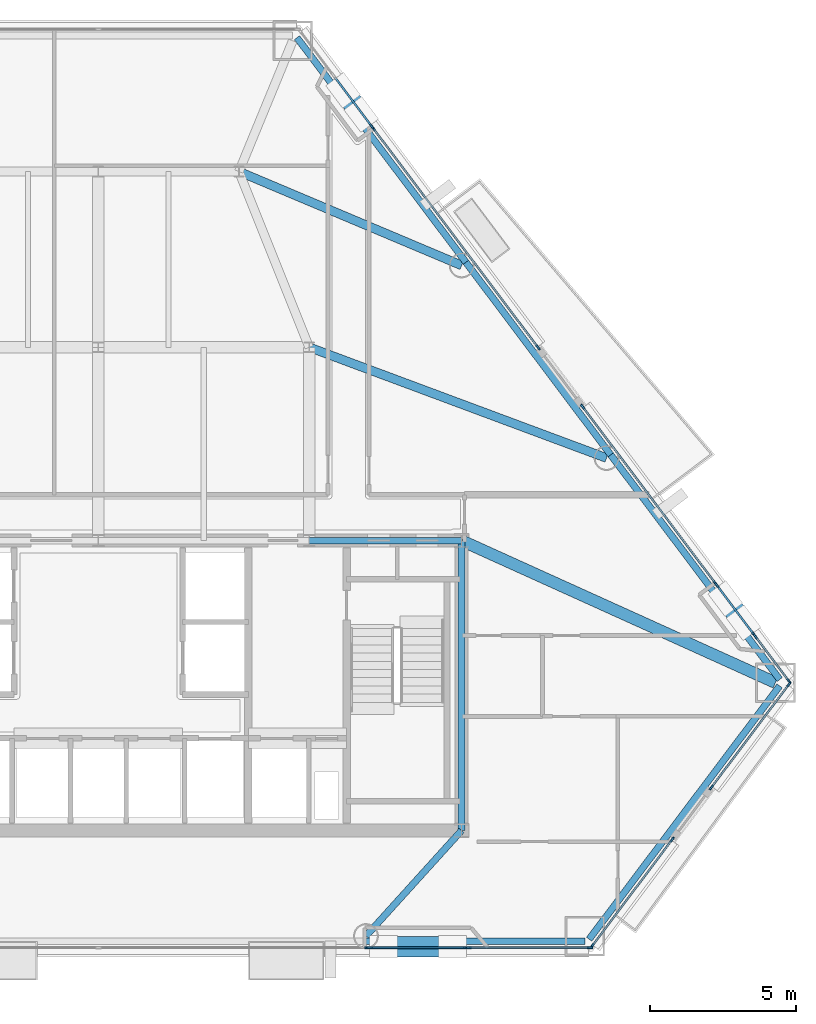
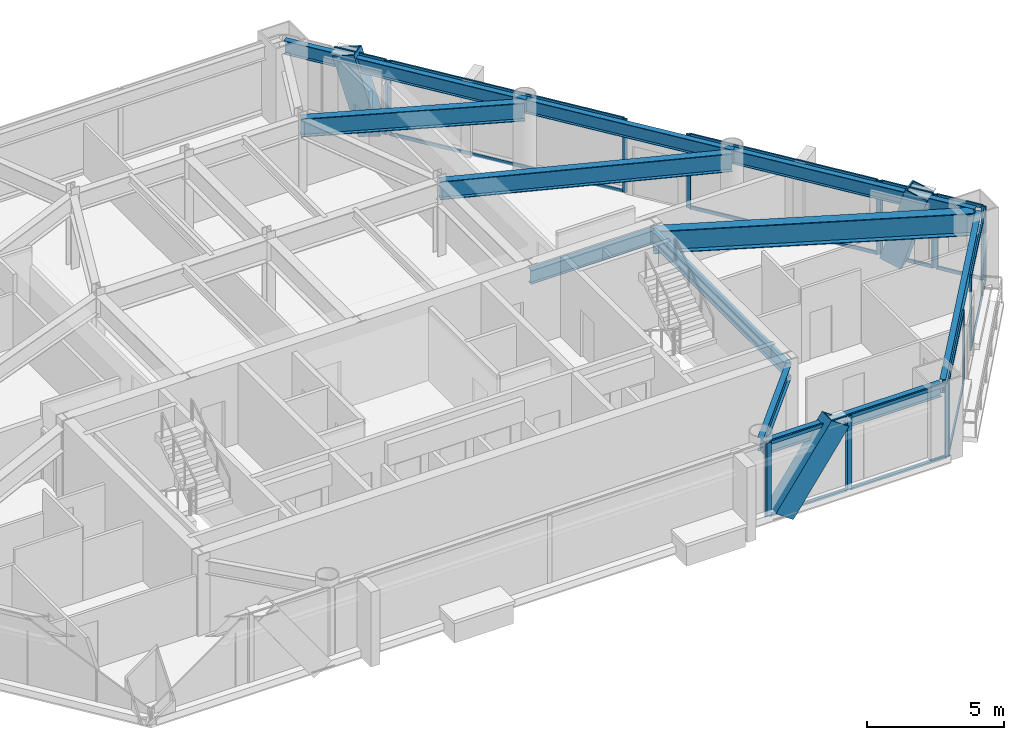
# One storey, part 4 of 10: 39 members, 11 beams, 10 elements without a shape of their own.
"""IFC4 building model written with IfcOpenShell, lengths in metres."""

from ifc_helpers import new_model, si_unit, direction, frame, origin, origin_2d, place, context, subcontext, project, spatial, rectangle, hollow_rectangle, i_section, extrude, material, layer, layer_set, material_profile, profile_set, type_object, element, aggregate, save


model = new_model("IFC4")

# Units and contexts
model_context = context("Model", 3, precision=1e-05, world=origin(), true_north=direction((0.0, 1.0)))
body_context = subcontext(model_context, "Body", "Model", "MODEL_VIEW")
ifc_project = project(units=[si_unit("LENGTHUNIT", "METRE"), si_unit("AREAUNIT", "SQUARE_METRE"), si_unit("VOLUMEUNIT", "CUBIC_METRE"), si_unit("PLANEANGLEUNIT", "RADIAN"), si_unit("MASSUNIT", "GRAM", prefix="KILO")], contexts=[model_context])

# Site, building, storey
site_placement = place(None, origin())
site = spatial("IfcSite", under=ifc_project, at=site_placement, CompositionType="ELEMENT")
building_placement = place(site_placement, origin())
building = spatial("IfcBuilding", under=site, at=building_placement, Name="Talgorran Terracotta Tower", CompositionType="ELEMENT")
storey_placement = place(building_placement, frame((0.0, 0.0, 86.39990234375)))
storey = spatial("IfcBuildingStorey", under=building, at=storey_placement, Name="L22", CompositionType="ELEMENT", Elevation=86.39990234375)

# Beams
ifc_material_1 = material(Name="Steel Grade 350 (350L0)", Category="steel")
ifc_material_profile_1 = material_profile(ifc_material_1, i_section(OverallWidth=0.39990234375, OverallDepth=1.0, WebThickness=0.01611328125, FlangeThickness=0.031005859375, at=origin_2d()), Name="1000WB296")
ifc_profile_set_1 = profile_set([ifc_material_profile_1], Name="Steel Grade 350 (350L0)")
beam_type_1 = type_object("IfcBeamType", Name="BM_1000WB296", PredefinedType="BEAM", material=ifc_profile_set_1)
beam_1_placement = place(storey_placement, frame((12.39990234375, -4.199951171875, 2.780029296875), z_axis=(0.911027575062, -0.412345434651, 0.0), x_axis=(0.412345434651, 0.911027575062, 0.0)))
element("IfcBeam", 1, at=beam_1_placement, inside=storey, type_object=beam_type_1, Name="L22 Floor Girder G18", PredefinedType="BEAM", context=body_context, shape_type="SweptSolid", body=[
    extrude(i_section(OverallWidth=0.39990234375, OverallDepth=1.0, WebThickness=0.01611328125, FlangeThickness=0.031005859375, at=origin_2d()), origin(), (0.0, 0.0, 1.0), 11.766357421875),
])
ifc_material_2 = material(Name="Steel S355 (300PLUS)", Category="steel")
ifc_material_profile_2 = material_profile(ifc_material_2, i_section(OverallWidth=0.300048828125, OverallDepth=0.81591796875, WebThickness=0.013916015625, FlangeThickness=0.028076171875, at=origin_2d()), Name="800WB192")
ifc_profile_set_2 = profile_set([ifc_material_profile_2], Name="Steel S355 (300PLUS)")
beam_type_2 = type_object("IfcBeamType", Name="BM_800WB192", PredefinedType="BEAM", material=ifc_profile_set_2)
beam_2_placement = place(storey_placement, frame((7.199951171875, 2.39990234375, 2.8720703125), z_axis=(0.93710770278, -0.34904033204, 0.0), x_axis=(0.34904033204, 0.93710770278, 0.0)))
element("IfcBeam", 2, at=beam_2_placement, inside=storey, type_object=beam_type_2, Name="L22 Floor Girder G07", PredefinedType="BEAM", context=body_context, shape_type="SweptSolid", body=[
    extrude(i_section(OverallWidth=0.300048828125, OverallDepth=0.81591796875, WebThickness=0.013916015625, FlangeThickness=0.028076171875, at=origin_2d()), origin(), (0.0, 0.0, 1.0), 10.831787109375),
])
beam_3_placement = place(storey_placement, frame((4.800048828125, 8.39990234375, 2.8720703125), z_axis=(0.921492221575, -0.388396814582, 0.0), x_axis=(0.388396814582, 0.921492221575, 0.0)))
element("IfcBeam", 3, at=beam_3_placement, inside=storey, type_object=beam_type_2, Name="L22 Floor Girder G14", PredefinedType="BEAM", context=body_context, shape_type="SweptSolid", body=[
    extrude(i_section(OverallWidth=0.300048828125, OverallDepth=0.81591796875, WebThickness=0.013916015625, FlangeThickness=0.028076171875, at=origin_2d()), origin(), (0.0, 0.0, 1.0), 8.25390625),
])
ifc_material_profile_3 = material_profile(ifc_material_2, i_section(OverallWidth=0.22900390625, OverallDepth=0.611572265625, WebThickness=0.011962890625, FlangeThickness=0.01953125, at=origin_2d()), Name="610UB125")
ifc_profile_set_3 = profile_set([ifc_material_profile_3], Name="Steel S355 (300PLUS)")
beam_type_3 = type_object("IfcBeamType", Name="BM_SP_610UB125", PredefinedType="SPANDREL", material=ifc_profile_set_3)
beam_4_placement = place(storey_placement, frame((9.1376953125, -17.882080078125, 2.974365234375), z_axis=(1.0, 0.0, 0.0), x_axis=(0.0, 1.0, 0.0)))
element("IfcBeam", 4, at=beam_4_placement, inside=storey, type_object=beam_type_3, Name="L22 Perimeter Spandrel Beam FC2-MC3", PredefinedType="SPANDREL", context=body_context, shape_type="SweptSolid", body=[
    extrude(i_section(OverallWidth=0.22900390625, OverallDepth=0.611572265625, WebThickness=0.011962890625, FlangeThickness=0.01953125, at=origin_2d()), origin(), (0.0, 0.0, 1.0), 7.47607421875),
])
beam_5_placement = place(storey_placement, frame((16.7578125, -17.810302734375, 2.974365234375), z_axis=(0.601053302012, 0.799208938976, 0.0), x_axis=(-0.799208938976, 0.601053302012, 0.0)))
element("IfcBeam", 5, at=beam_5_placement, inside=storey, type_object=beam_type_3, Name="L22 Perimeter Spandrel Beam MC3-MC4", PredefinedType="SPANDREL", context=body_context, shape_type="SweptSolid", body=[
    extrude(i_section(OverallWidth=0.22900390625, OverallDepth=0.611572265625, WebThickness=0.011962890625, FlangeThickness=0.01953125, at=origin_2d()), origin(), (0.0, 0.0, 1.0), 10.82373046875),
])
beam_6_placement = place(storey_placement, frame((23.263427734375, -8.943603515625, 2.974365234375), z_axis=(-0.601057621452, 0.799205690479, 0.0), x_axis=(-0.799205690479, -0.601057621452, 0.0)))
element("IfcBeam", 6, at=beam_6_placement, inside=storey, type_object=beam_type_3, Name="L22 Perimeter Spandrel Beam MC4-FC3", PredefinedType="SPANDREL", context=body_context, shape_type="SweptSolid", body=[
    extrude(i_section(OverallWidth=0.22900390625, OverallDepth=0.611572265625, WebThickness=0.011962890625, FlangeThickness=0.01953125, at=origin_2d()), origin(), (0.0, 0.0, 1.0), 9.59814453125),
])
beam_7_placement = place(storey_placement, frame((17.494384765625, -1.272705078125, 2.974365234375), z_axis=(-0.601025104516, 0.799230144415, 0.0), x_axis=(-0.799230144415, -0.601025104516, 0.0)))
element("IfcBeam", 7, at=beam_7_placement, inside=storey, type_object=beam_type_3, Name="L22 Perimeter Spandrel Beam FC3-FC4", PredefinedType="SPANDREL", context=body_context, shape_type="SweptSolid", body=[
    extrude(i_section(OverallWidth=0.22900390625, OverallDepth=0.611572265625, WebThickness=0.011962890625, FlangeThickness=0.01953125, at=origin_2d()), origin(), (0.0, 0.0, 1.0), 8.226806640625),
])
beam_8_placement = place(storey_placement, frame((12.5498046875, 5.302490234375, 2.974365234375), z_axis=(-0.601041374216, 0.799217909259, 0.0), x_axis=(-0.799217909259, -0.601041374216, 0.0)))
element("IfcBeam", 8, at=beam_8_placement, inside=storey, type_object=beam_type_3, Name="L22 Perimeter Spandrel Beam FC4-MC5", PredefinedType="SPANDREL", context=body_context, shape_type="SweptSolid", body=[
    extrude(i_section(OverallWidth=0.22900390625, OverallDepth=0.611572265625, WebThickness=0.011962890625, FlangeThickness=0.01953125, at=origin_2d()), origin(), (0.0, 0.0, 1.0), 9.597900390625),
])
beam_9_placement = place(storey_placement, frame((12.39990234375, -14.10009765625, 2.974365234375), z_axis=(-0.671276308116, -0.741207203259, 0.0), x_axis=(0.741207203259, -0.671276308116, 0.0)))
element("IfcBeam", 9, at=beam_9_placement, inside=storey, type_object=beam_type_3, Name="L22 South-East Core Tie Beam", PredefinedType="SPANDREL", context=body_context, shape_type="SweptSolid", body=[
    extrude(i_section(OverallWidth=0.22900390625, OverallDepth=0.611572265625, WebThickness=0.011962890625, FlangeThickness=0.01953125, at=origin_2d()), origin(), (0.0, 0.0, 1.0), 4.859619140625),
])
beam_10_placement = place(storey_placement, frame((12.39990234375, -14.10009765625, 2.974365234375), z_axis=(0.0, 1.0, 0.0), x_axis=(-1.0, 0.0, 0.0)))
element("IfcBeam", 10, at=beam_10_placement, inside=storey, type_object=beam_type_3, Name="L22 Core Frame Beam CFE", PredefinedType="SPANDREL", context=body_context, shape_type="SweptSolid", body=[
    extrude(i_section(OverallWidth=0.22900390625, OverallDepth=0.611572265625, WebThickness=0.011962890625, FlangeThickness=0.01953125, at=origin_2d()), origin(), (0.0, 0.0, 1.0), 9.900146484375),
])
beam_11_placement = place(storey_placement, frame((7.199951171875, -4.199951171875, 2.974365234375), z_axis=(1.0, 0.0, 0.0), x_axis=(0.0, 1.0, 0.0)))
element("IfcBeam", 11, at=beam_11_placement, inside=storey, type_object=beam_type_3, Name="L22 Core Frame Beam CFN4", PredefinedType="SPANDREL", context=body_context, shape_type="SweptSolid", body=[
    extrude(i_section(OverallWidth=0.22900390625, OverallDepth=0.611572265625, WebThickness=0.011962890625, FlangeThickness=0.01953125, at=origin_2d()), origin(), (0.0, 0.0, 1.0), 5.199951171875),
])

# Members
ifc_material_profile_4 = material_profile(ifc_material_1, hollow_rectangle(XDim=0.699951171875, YDim=0.89990234375, WallThickness=0.050048828125, at=origin_2d()), Name="WBOX900X700X50")
ifc_profile_set_4 = profile_set([ifc_material_profile_4], Name="Steel Grade 350 (350L0)")
member_type_1 = type_object("IfcMemberType", Name="MB_MEGA_900", PredefinedType="BRACE", material=ifc_profile_set_4)
member_1_placement = place(storey_placement, frame((9.740234375, -18.062255859375, -0.02490234375), z_axis=(0.576753737228, 0.0, 0.816918066022), x_axis=(0.0, 1.0, 0.0)))
element("IfcMember", 12, at=member_1_placement, inside=storey, type_object=member_type_1, Name="L22 Exterior Face Mega-Brace MB-1 (SEF)", PredefinedType="BRACE", context=body_context, shape_type="SweptSolid", body=[
    extrude(hollow_rectangle(XDim=0.699951171875, YDim=0.89990234375, WallThickness=0.050048828125, at=origin_2d()), origin(), (0.0, 0.0, 1.0), 4.076416015625),
])
for number, where, z_axis, x_axis, name in (
    (13, (21.40869140625, -6.177978515625, -0.02490234375), (0.177811978191, -0.236429002903, 0.955240402725), (0.79920388083, 0.601060027674, 0.0), "L22 Exterior Face Mega-Brace MB-1 (NEL)"),
    (14, (8.977783203125, 10.351318359375, -0.02490234375), (-0.177811978191, 0.236429002903, 0.955240402725), (-0.79920388083, -0.601060027674, 0.0), "L22 Exterior Face Mega-Brace MB-1 (NEU)"),
):
    element("IfcMember", number, at=place(storey_placement, frame(where, z_axis=z_axis, x_axis=x_axis)), inside=storey, type_object=member_type_1, Name=name, PredefinedType="BRACE", context=body_context, shape_type="SweptSolid", body=[
        extrude(hollow_rectangle(XDim=0.699951171875, YDim=0.89990234375, WallThickness=0.050048828125, at=origin_2d()), origin(), (0.0, 0.0, 1.0), 3.486083984375),
    ])

# Curtain wall, member
ifc_material_3 = material(Name="Unitised Low-E Double Glazing", Category="glass")
ifc_layer = layer(ifc_material_3, 0.199951171875, Name="CW_SYS2_RES_LOW")
ifc_layer_set = layer_set([ifc_layer], Name="Unitised Low-E Double Glazing")
curtain_wall_type = type_object("IfcCurtainWallType", Name="CW_SYS2_RES_LOW", PredefinedType="NOTDEFINED", material=ifc_layer_set)
curtain_wall_1_placement = place(storey_placement, origin())
curtain_wall_1 = element("IfcCurtainWall", 15, at=curtain_wall_1_placement, inside=storey, type_object=curtain_wall_type, Name="CW-L22-F1C", PredefinedType="NOTDEFINED")
ifc_material_4 = material(Name="Architectural Aluminium 6063-T6", Category="aluminium")
ifc_material_profile_5 = material_profile(ifc_material_4, rectangle(XDim=0.06494140625, YDim=0.18505859375, at=origin_2d()), Name="CWM65X185")
ifc_profile_set_5 = profile_set([ifc_material_profile_5], Name="Architectural Aluminium 6063-T6")
member_type_2 = type_object("IfcMemberType", Name="MUL_65X185", PredefinedType="MULLION", material=ifc_profile_set_5)
member_2_placement = place(storey_placement, frame((9.18505859375, -18.102294921875, 0.0), z_axis=(0.0, 0.0, 1.0), x_axis=(0.0, 1.0, 0.0)))
member_2 = element("IfcMember", 16, at=member_2_placement, type_object=member_type_2, Name="CW-L22-1C mullion 3", PredefinedType="MULLION", context=body_context, shape_type="SweptSolid", body=[
    extrude(rectangle(XDim=0.06494140625, YDim=0.18505859375, at=origin_2d()), origin(), (0.0, 0.0, 1.0), 3.280029296875),
])
aggregate(curtain_wall_1, [member_2])

# Curtain wall, members
curtain_wall_2_placement = place(storey_placement, origin())
curtain_wall_2 = element("IfcCurtainWall", 17, at=curtain_wall_2_placement, inside=storey, type_object=curtain_wall_type, Name="CW-L22-F1D", PredefinedType="NOTDEFINED")
member_3_placement = place(storey_placement, frame((9.260009765625, -18.102294921875, 0.0), z_axis=(0.0, 0.0, 1.0), x_axis=(0.0, 1.0, 0.0)))
member_3 = element("IfcMember", 18, at=member_3_placement, type_object=member_type_2, Name="CW-L22-1D mullion 1", PredefinedType="MULLION", context=body_context, shape_type="SweptSolid", body=[
    extrude(rectangle(XDim=0.06494140625, YDim=0.18505859375, at=origin_2d()), origin(), (0.0, 0.0, 1.0), 3.280029296875),
])
member_4_placement = place(storey_placement, frame((12.5712890625, -18.102294921875, 0.0), z_axis=(0.0, 0.0, 1.0), x_axis=(0.0, 1.0, 0.0)))
member_4 = element("IfcMember", 19, at=member_4_placement, type_object=member_type_2, Name="CW-L22-1D mullion 2", PredefinedType="MULLION", context=body_context, shape_type="SweptSolid", body=[
    extrude(rectangle(XDim=0.06494140625, YDim=0.18505859375, at=origin_2d()), origin(), (0.0, 0.0, 1.0), 3.280029296875),
])

curtain_wall_3_placement = place(storey_placement, origin())
curtain_wall_3 = element("IfcCurtainWall", 20, at=curtain_wall_3_placement, inside=storey, type_object=curtain_wall_type, Name="CW-L22-F1E", PredefinedType="NOTDEFINED")
member_5_placement = place(storey_placement, frame((12.646484375, -18.102294921875, 0.0), z_axis=(0.0, 0.0, 1.0), x_axis=(0.0, 1.0, 0.0)))
member_5 = element("IfcMember", 21, at=member_5_placement, type_object=member_type_2, Name="CW-L22-1E mullion 1", PredefinedType="MULLION", context=body_context, shape_type="SweptSolid", body=[
    extrude(rectangle(XDim=0.06494140625, YDim=0.18505859375, at=origin_2d()), origin(), (0.0, 0.0, 1.0), 3.280029296875),
])
member_6_placement = place(storey_placement, frame((16.781005859375, -18.102294921875, 0.0), z_axis=(0.0, 0.0, 1.0), x_axis=(0.0, 1.0, 0.0)))
member_6 = element("IfcMember", 22, at=member_6_placement, type_object=member_type_2, Name="CW-L22-1E mullion 2", PredefinedType="MULLION", context=body_context, shape_type="SweptSolid", body=[
    extrude(rectangle(XDim=0.06494140625, YDim=0.18505859375, at=origin_2d()), origin(), (0.0, 0.0, 1.0), 3.280029296875),
])

curtain_wall_4_placement = place(storey_placement, origin())
curtain_wall_4 = element("IfcCurtainWall", 23, at=curtain_wall_4_placement, inside=storey, type_object=curtain_wall_type, Name="CW-L22-F30", PredefinedType="NOTDEFINED")
member_7_placement = place(storey_placement, frame((16.85693359375, -18.044189453125, 0.0), z_axis=(0.0, 0.0, 1.0), x_axis=(-0.799203948636, 0.601059937514, 0.0)))
member_7 = element("IfcMember", 24, at=member_7_placement, type_object=member_type_2, Name="CW-L22-30 mullion 1", PredefinedType="MULLION", context=body_context, shape_type="SweptSolid", body=[
    extrude(rectangle(XDim=0.06494140625, YDim=0.18505859375, at=origin_2d()), origin(), (0.0, 0.0, 1.0), 3.280029296875),
])
member_8_placement = place(storey_placement, frame((19.593017578125, -14.406494140625, 0.0), z_axis=(0.0, 0.0, 1.0), x_axis=(-0.799203948636, 0.601059937514, 0.0)))
member_8 = element("IfcMember", 25, at=member_8_placement, type_object=member_type_2, Name="CW-L22-30 mullion 2", PredefinedType="MULLION", context=body_context, shape_type="SweptSolid", body=[
    extrude(rectangle(XDim=0.06494140625, YDim=0.18505859375, at=origin_2d()), origin(), (0.0, 0.0, 1.0), 3.280029296875),
])

curtain_wall_5_placement = place(storey_placement, origin())
curtain_wall_5 = element("IfcCurtainWall", 26, at=curtain_wall_5_placement, inside=storey, type_object=curtain_wall_type, Name="CW-L22-F31", PredefinedType="NOTDEFINED")
member_9_placement = place(storey_placement, frame((20.930419921875, -12.628173828125, 0.0), z_axis=(0.0, 0.0, 1.0), x_axis=(-0.799204212073, 0.601059587233, 0.0)))
member_9 = element("IfcMember", 27, at=member_9_placement, type_object=member_type_2, Name="CW-L22-31 mullion 1", PredefinedType="MULLION", context=body_context, shape_type="SweptSolid", body=[
    extrude(rectangle(XDim=0.06494140625, YDim=0.18505859375, at=origin_2d()), origin(), (0.0, 0.0, 1.0), 3.280029296875),
])
member_10_placement = place(storey_placement, frame((23.576416015625, -9.109619140625, 0.0), z_axis=(0.0, 0.0, 1.0), x_axis=(-0.799204212073, 0.601059587233, 0.0)))
member_10 = element("IfcMember", 28, at=member_10_placement, type_object=member_type_2, Name="CW-L22-31 mullion 2", PredefinedType="MULLION", context=body_context, shape_type="SweptSolid", body=[
    extrude(rectangle(XDim=0.06494140625, YDim=0.18505859375, at=origin_2d()), origin(), (0.0, 0.0, 1.0), 3.280029296875),
])

curtain_wall_6_placement = place(storey_placement, origin())
curtain_wall_6 = element("IfcCurtainWall", 29, at=curtain_wall_6_placement, inside=storey, type_object=curtain_wall_type, Name="CW-L22-F40", PredefinedType="NOTDEFINED")
member_11_placement = place(storey_placement, frame((23.576416015625, -8.99365234375, 0.0), z_axis=(0.0, 0.0, 1.0), x_axis=(-0.799188962598, -0.601079863298, 0.0)))
member_11 = element("IfcMember", 30, at=member_11_placement, type_object=member_type_2, Name="CW-L22-40 mullion 1", PredefinedType="MULLION", context=body_context, shape_type="SweptSolid", body=[
    extrude(rectangle(XDim=0.06494140625, YDim=0.18505859375, at=origin_2d()), origin(), (0.0, 0.0, 1.0), 3.280029296875),
])
member_12_placement = place(storey_placement, frame((22.431640625, -7.4716796875, 0.0), z_axis=(0.0, 0.0, 1.0), x_axis=(-0.799188962598, -0.601079863298, 0.0)))
member_12 = element("IfcMember", 31, at=member_12_placement, type_object=member_type_2, Name="CW-L22-40 mullion 2", PredefinedType="MULLION", context=body_context, shape_type="SweptSolid", body=[
    extrude(rectangle(XDim=0.06494140625, YDim=0.18505859375, at=origin_2d()), origin(), (0.0, 0.0, 1.0), 3.280029296875),
])

curtain_wall_7_placement = place(storey_placement, origin())
curtain_wall_7 = element("IfcCurtainWall", 32, at=curtain_wall_7_placement, inside=storey, type_object=curtain_wall_type, Name="CW-L22-F40B", PredefinedType="NOTDEFINED")
member_13_placement = place(storey_placement, frame((22.386474609375, -7.41162109375, 0.0), z_axis=(0.0, 0.0, 1.0), x_axis=(-0.799212525032, -0.601048533674, 0.0)))
member_13 = element("IfcMember", 33, at=member_13_placement, type_object=member_type_2, Name="CW-L22-40B mullion 1", PredefinedType="MULLION", context=body_context, shape_type="SweptSolid", body=[
    extrude(rectangle(XDim=0.06494140625, YDim=0.18505859375, at=origin_2d()), origin(), (0.0, 0.0, 1.0), 3.280029296875),
])
member_14_placement = place(storey_placement, frame((21.11474609375, -5.720458984375, 0.0), z_axis=(0.0, 0.0, 1.0), x_axis=(-0.799212525032, -0.601048533674, 0.0)))
member_14 = element("IfcMember", 34, at=member_14_placement, type_object=member_type_2, Name="CW-L22-40B mullion 2", PredefinedType="MULLION", context=body_context, shape_type="SweptSolid", body=[
    extrude(rectangle(XDim=0.06494140625, YDim=0.18505859375, at=origin_2d()), origin(), (0.0, 0.0, 1.0), 3.280029296875),
])

curtain_wall_8_placement = place(storey_placement, origin())
curtain_wall_8 = element("IfcCurtainWall", 35, at=curtain_wall_8_placement, inside=storey, type_object=curtain_wall_type, Name="CW-L22-F40C", PredefinedType="NOTDEFINED")
member_15_placement = place(storey_placement, frame((21.069580078125, -5.66064453125, 0.0), z_axis=(0.0, 0.0, 1.0), x_axis=(-0.799209516558, -0.601052534013, 0.0)))
member_15 = element("IfcMember", 36, at=member_15_placement, type_object=member_type_2, Name="CW-L22-40C mullion 1", PredefinedType="MULLION", context=body_context, shape_type="SweptSolid", body=[
    extrude(rectangle(XDim=0.06494140625, YDim=0.18505859375, at=origin_2d()), origin(), (0.0, 0.0, 1.0), 3.280029296875),
])
member_16_placement = place(storey_placement, frame((16.533447265625, 0.371337890625, 0.0), z_axis=(0.0, 0.0, 1.0), x_axis=(-0.799209516558, -0.601052534013, 0.0)))
member_16 = element("IfcMember", 37, at=member_16_placement, type_object=member_type_2, Name="CW-L22-40C mullion 2", PredefinedType="MULLION", context=body_context, shape_type="SweptSolid", body=[
    extrude(rectangle(XDim=0.06494140625, YDim=0.18505859375, at=origin_2d()), origin(), (0.0, 0.0, 1.0), 3.280029296875),
])

curtain_wall_9_placement = place(storey_placement, origin())
curtain_wall_9 = element("IfcCurtainWall", 38, at=curtain_wall_9_placement, inside=storey, type_object=curtain_wall_type, Name="CW-L22-F41", PredefinedType="NOTDEFINED")
member_17_placement = place(storey_placement, frame((15.015869140625, 2.38916015625, 0.0), z_axis=(0.0, 0.0, 1.0), x_axis=(-0.799212461682, -0.601048617911, 0.0)))
member_17 = element("IfcMember", 39, at=member_17_placement, type_object=member_type_2, Name="CW-L22-41 mullion 1", PredefinedType="MULLION", context=body_context, shape_type="SweptSolid", body=[
    extrude(rectangle(XDim=0.06494140625, YDim=0.18505859375, at=origin_2d()), origin(), (0.0, 0.0, 1.0), 3.280029296875),
])
member_18_placement = place(storey_placement, frame((9.380859375, 9.882080078125, 0.0), z_axis=(0.0, 0.0, 1.0), x_axis=(-0.799212461682, -0.601048617911, 0.0)))
member_18 = element("IfcMember", 40, at=member_18_placement, type_object=member_type_2, Name="CW-L22-41 mullion 2", PredefinedType="MULLION", context=body_context, shape_type="SweptSolid", body=[
    extrude(rectangle(XDim=0.06494140625, YDim=0.18505859375, at=origin_2d()), origin(), (0.0, 0.0, 1.0), 3.280029296875),
])

# Curtain wall, member
curtain_wall_10_placement = place(storey_placement, origin())
curtain_wall_10 = element("IfcCurtainWall", 41, at=curtain_wall_10_placement, inside=storey, type_object=curtain_wall_type, Name="CW-L22-F41B", PredefinedType="NOTDEFINED")
member_19_placement = place(storey_placement, frame((9.3359375, 9.94189453125, 0.0), z_axis=(0.0, 0.0, 1.0), x_axis=(-0.799190500308, -0.60107781877, 0.0)))
member_19 = element("IfcMember", 42, at=member_19_placement, type_object=member_type_2, Name="CW-L22-41B mullion 1", PredefinedType="MULLION", context=body_context, shape_type="SweptSolid", body=[
    extrude(rectangle(XDim=0.06494140625, YDim=0.18505859375, at=origin_2d()), origin(), (0.0, 0.0, 1.0), 3.280029296875),
])

# Member
ifc_material_profile_6 = material_profile(ifc_material_4, rectangle(XDim=0.06494140625, YDim=0.14990234375, at=origin_2d()), Name="CWT65X150")
ifc_profile_set_6 = profile_set([ifc_material_profile_6], Name="Architectural Aluminium 6063-T6")
member_type_3 = type_object("IfcMemberType", Name="TRN_65X150", PredefinedType="USERDEFINED", material=ifc_profile_set_6)
member_20_placement = place(storey_placement, frame((9.29248046875, -18.102294921875, 0.03271484375), z_axis=(1.0, 0.0, 0.0), x_axis=(0.0, 1.0, 0.0)))
member_20 = element("IfcMember", 43, at=member_20_placement, type_object=member_type_3, Name="CW-L22-1D transom 1.1", ObjectType="TRANSOM", PredefinedType="USERDEFINED", context=body_context, shape_type="SweptSolid", body=[
    extrude(rectangle(XDim=0.06494140625, YDim=0.14990234375, at=origin_2d()), origin(), (0.0, 0.0, 1.0), 3.246337890625),
])

member_21_placement = place(storey_placement, frame((9.29248046875, -18.102294921875, 3.24755859375), z_axis=(1.0, 0.0, 0.0), x_axis=(0.0, 1.0, 0.0)))
member_21 = element("IfcMember", 44, at=member_21_placement, type_object=member_type_3, Name="CW-L22-1D transom 1.2", ObjectType="TRANSOM", PredefinedType="USERDEFINED", context=body_context, shape_type="SweptSolid", body=[
    extrude(rectangle(XDim=0.06494140625, YDim=0.14990234375, at=origin_2d()), origin(), (0.0, 0.0, 1.0), 3.246337890625),
])

aggregate(curtain_wall_2, [member_3, member_4, member_20, member_21])

member_22_placement = place(storey_placement, frame((12.678955078125, -18.102294921875, 0.03271484375), z_axis=(1.0, 0.0, 0.0), x_axis=(0.0, 1.0, 0.0)))
member_22 = element("IfcMember", 45, at=member_22_placement, type_object=member_type_3, Name="CW-L22-1E transom 1.1", ObjectType="TRANSOM", PredefinedType="USERDEFINED", context=body_context, shape_type="SweptSolid", body=[
    extrude(rectangle(XDim=0.06494140625, YDim=0.14990234375, at=origin_2d()), origin(), (0.0, 0.0, 1.0), 4.069580078125),
])

member_23_placement = place(storey_placement, frame((12.678955078125, -18.102294921875, 3.24755859375), z_axis=(1.0, 0.0, 0.0), x_axis=(0.0, 1.0, 0.0)))
member_23 = element("IfcMember", 46, at=member_23_placement, type_object=member_type_3, Name="CW-L22-1E transom 1.2", ObjectType="TRANSOM", PredefinedType="USERDEFINED", context=body_context, shape_type="SweptSolid", body=[
    extrude(rectangle(XDim=0.06494140625, YDim=0.14990234375, at=origin_2d()), origin(), (0.0, 0.0, 1.0), 4.069580078125),
])

aggregate(curtain_wall_3, [member_5, member_6, member_22, member_23])

member_24_placement = place(storey_placement, frame((16.87646484375, -18.018310546875, 0.03271484375), z_axis=(0.601078969152, 0.799189635095, 0.0), x_axis=(-0.799189635095, 0.601078969152, 0.0)))
member_24 = element("IfcMember", 47, at=member_24_placement, type_object=member_type_3, Name="CW-L22-30 transom 1.1", ObjectType="TRANSOM", PredefinedType="USERDEFINED", context=body_context, shape_type="SweptSolid", body=[
    extrude(rectangle(XDim=0.06494140625, YDim=0.14990234375, at=origin_2d()), origin(), (0.0, 0.0, 1.0), 4.487060546875),
])

member_25_placement = place(storey_placement, frame((16.87646484375, -18.018310546875, 3.24755859375), z_axis=(0.601078969152, 0.799189635095, 0.0), x_axis=(-0.799189635095, 0.601078969152, 0.0)))
member_25 = element("IfcMember", 48, at=member_25_placement, type_object=member_type_3, Name="CW-L22-30 transom 1.2", ObjectType="TRANSOM", PredefinedType="USERDEFINED", context=body_context, shape_type="SweptSolid", body=[
    extrude(rectangle(XDim=0.06494140625, YDim=0.14990234375, at=origin_2d()), origin(), (0.0, 0.0, 1.0), 4.487060546875),
])

aggregate(curtain_wall_4, [member_7, member_8, member_24, member_25])

member_26_placement = place(storey_placement, frame((20.949951171875, -12.60205078125, 0.03271484375), z_axis=(0.601062221534, 0.799202230881, 0.0), x_axis=(-0.799202230881, 0.601062221534, 0.0)))
member_26 = element("IfcMember", 49, at=member_26_placement, type_object=member_type_3, Name="CW-L22-31 transom 1.1", ObjectType="TRANSOM", PredefinedType="USERDEFINED", context=body_context, shape_type="SweptSolid", body=[
    extrude(rectangle(XDim=0.06494140625, YDim=0.14990234375, at=origin_2d()), origin(), (0.0, 0.0, 1.0), 4.337158203125),
])

member_27_placement = place(storey_placement, frame((20.949951171875, -12.60205078125, 3.24755859375), z_axis=(0.601062221534, 0.799202230881, 0.0), x_axis=(-0.799202230881, 0.601062221534, 0.0)))
member_27 = element("IfcMember", 50, at=member_27_placement, type_object=member_type_3, Name="CW-L22-31 transom 1.2", ObjectType="TRANSOM", PredefinedType="USERDEFINED", context=body_context, shape_type="SweptSolid", body=[
    extrude(rectangle(XDim=0.06494140625, YDim=0.14990234375, at=origin_2d()), origin(), (0.0, 0.0, 1.0), 4.337158203125),
])

aggregate(curtain_wall_5, [member_9, member_10, member_26, member_27])

member_28_placement = place(storey_placement, frame((23.556884765625, -8.9677734375, 0.03271484375), z_axis=(-0.601061182686, 0.799203012174, 0.0), x_axis=(-0.799203012174, -0.601061182686, 0.0)))
member_28 = element("IfcMember", 51, at=member_28_placement, type_object=member_type_3, Name="CW-L22-40 transom 1.1", ObjectType="TRANSOM", PredefinedType="USERDEFINED", context=body_context, shape_type="SweptSolid", body=[
    extrude(rectangle(XDim=0.06494140625, YDim=0.14990234375, at=origin_2d()), origin(), (0.0, 0.0, 1.0), 1.839599609375),
])

member_29_placement = place(storey_placement, frame((23.556884765625, -8.9677734375, 3.24755859375), z_axis=(-0.601061182686, 0.799203012174, 0.0), x_axis=(-0.799203012174, -0.601061182686, 0.0)))
member_29 = element("IfcMember", 52, at=member_29_placement, type_object=member_type_3, Name="CW-L22-40 transom 1.2", ObjectType="TRANSOM", PredefinedType="USERDEFINED", context=body_context, shape_type="SweptSolid", body=[
    extrude(rectangle(XDim=0.06494140625, YDim=0.14990234375, at=origin_2d()), origin(), (0.0, 0.0, 1.0), 1.839599609375),
])

aggregate(curtain_wall_6, [member_11, member_12, member_28, member_29])

member_30_placement = place(storey_placement, frame((22.366943359375, -7.3857421875, 0.03271484375), z_axis=(-0.600970823779, 0.799270960918, 0.0), x_axis=(-0.799270960918, -0.600970823779, 0.0)))
member_30 = element("IfcMember", 53, at=member_30_placement, type_object=member_type_3, Name="CW-L22-40B transom 1.1", ObjectType="TRANSOM", PredefinedType="USERDEFINED", context=body_context, shape_type="SweptSolid", body=[
    extrude(rectangle(XDim=0.06494140625, YDim=0.14990234375, at=origin_2d()), origin(), (0.0, 0.0, 1.0), 2.051025390625),
])

member_31_placement = place(storey_placement, frame((22.366943359375, -7.3857421875, 3.24755859375), z_axis=(-0.600970823779, 0.799270960918, 0.0), x_axis=(-0.799270960918, -0.600970823779, 0.0)))
member_31 = element("IfcMember", 54, at=member_31_placement, type_object=member_type_3, Name="CW-L22-40B transom 1.2", ObjectType="TRANSOM", PredefinedType="USERDEFINED", context=body_context, shape_type="SweptSolid", body=[
    extrude(rectangle(XDim=0.06494140625, YDim=0.14990234375, at=origin_2d()), origin(), (0.0, 0.0, 1.0), 2.051025390625),
])

aggregate(curtain_wall_7, [member_13, member_14, member_30, member_31])

member_32_placement = place(storey_placement, frame((21.050048828125, -5.634521484375, 0.03271484375), z_axis=(-0.601048872064, 0.799212270546, 0.0), x_axis=(-0.799212270546, -0.601048872064, 0.0)))
member_32 = element("IfcMember", 55, at=member_32_placement, type_object=member_type_3, Name="CW-L22-40C transom 1.1", ObjectType="TRANSOM", PredefinedType="USERDEFINED", context=body_context, shape_type="SweptSolid", body=[
    extrude(rectangle(XDim=0.06494140625, YDim=0.14990234375, at=origin_2d()), origin(), (0.0, 0.0, 1.0), 7.48193359375),
])

member_33_placement = place(storey_placement, frame((21.050048828125, -5.634521484375, 3.24755859375), z_axis=(-0.601048872064, 0.799212270546, 0.0), x_axis=(-0.799212270546, -0.601048872064, 0.0)))
member_33 = element("IfcMember", 56, at=member_33_placement, type_object=member_type_3, Name="CW-L22-40C transom 1.2", ObjectType="TRANSOM", PredefinedType="USERDEFINED", context=body_context, shape_type="SweptSolid", body=[
    extrude(rectangle(XDim=0.06494140625, YDim=0.14990234375, at=origin_2d()), origin(), (0.0, 0.0, 1.0), 7.48193359375),
])

aggregate(curtain_wall_8, [member_15, member_16, member_32, member_33])

member_34_placement = place(storey_placement, frame((14.996337890625, 2.415283203125, 0.03271484375), z_axis=(-0.601060985209, 0.799203160692, 0.0), x_axis=(-0.799203160692, -0.601060985209, 0.0)))
member_34 = element("IfcMember", 57, at=member_34_placement, type_object=member_type_3, Name="CW-L22-41 transom 1.1", ObjectType="TRANSOM", PredefinedType="USERDEFINED", context=body_context, shape_type="SweptSolid", body=[
    extrude(rectangle(XDim=0.06494140625, YDim=0.14990234375, at=origin_2d()), origin(), (0.0, 0.0, 1.0), 9.31005859375),
])

member_35_placement = place(storey_placement, frame((14.996337890625, 2.415283203125, 3.24755859375), z_axis=(-0.601060985209, 0.799203160692, 0.0), x_axis=(-0.799203160692, -0.601060985209, 0.0)))
member_35 = element("IfcMember", 58, at=member_35_placement, type_object=member_type_3, Name="CW-L22-41 transom 1.2", ObjectType="TRANSOM", PredefinedType="USERDEFINED", context=body_context, shape_type="SweptSolid", body=[
    extrude(rectangle(XDim=0.06494140625, YDim=0.14990234375, at=origin_2d()), origin(), (0.0, 0.0, 1.0), 9.31005859375),
])

aggregate(curtain_wall_9, [member_17, member_18, member_34, member_35])

member_36_placement = place(storey_placement, frame((9.31640625, 9.968017578125, 0.03271484375), z_axis=(-0.601104031107, 0.799170785119, 0.0), x_axis=(-0.799170785119, -0.601104031107, 0.0)))
member_36 = element("IfcMember", 59, at=member_36_placement, type_object=member_type_3, Name="CW-L22-41B transom 1.1", ObjectType="TRANSOM", PredefinedType="USERDEFINED", context=body_context, shape_type="SweptSolid", body=[
    extrude(rectangle(XDim=0.06494140625, YDim=0.14990234375, at=origin_2d()), origin(), (0.0, 0.0, 1.0), 2.051025390625),
])

member_37_placement = place(storey_placement, frame((9.31640625, 9.968017578125, 3.24755859375), z_axis=(-0.601104031107, 0.799170785119, 0.0), x_axis=(-0.799170785119, -0.601104031107, 0.0)))
member_37 = element("IfcMember", 60, at=member_37_placement, type_object=member_type_3, Name="CW-L22-41B transom 1.2", ObjectType="TRANSOM", PredefinedType="USERDEFINED", context=body_context, shape_type="SweptSolid", body=[
    extrude(rectangle(XDim=0.06494140625, YDim=0.14990234375, at=origin_2d()), origin(), (0.0, 0.0, 1.0), 2.051025390625),
])

aggregate(curtain_wall_10, [member_19, member_36, member_37])

save(model, "model.ifc")
